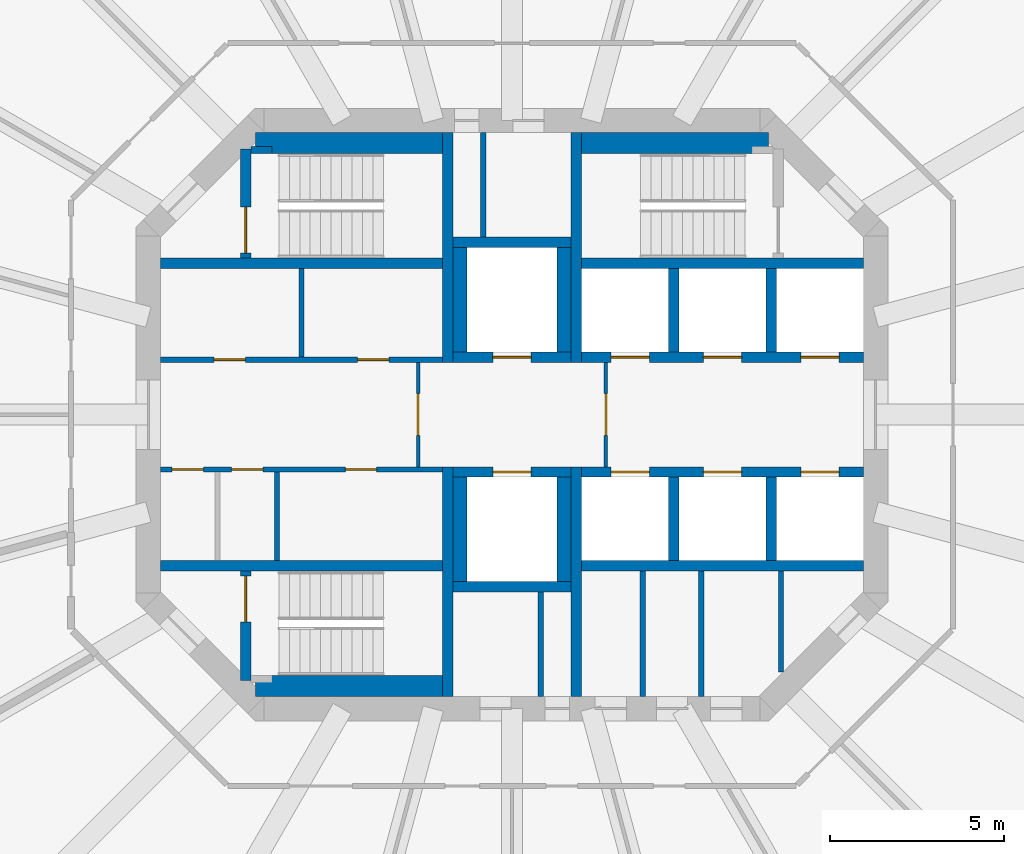
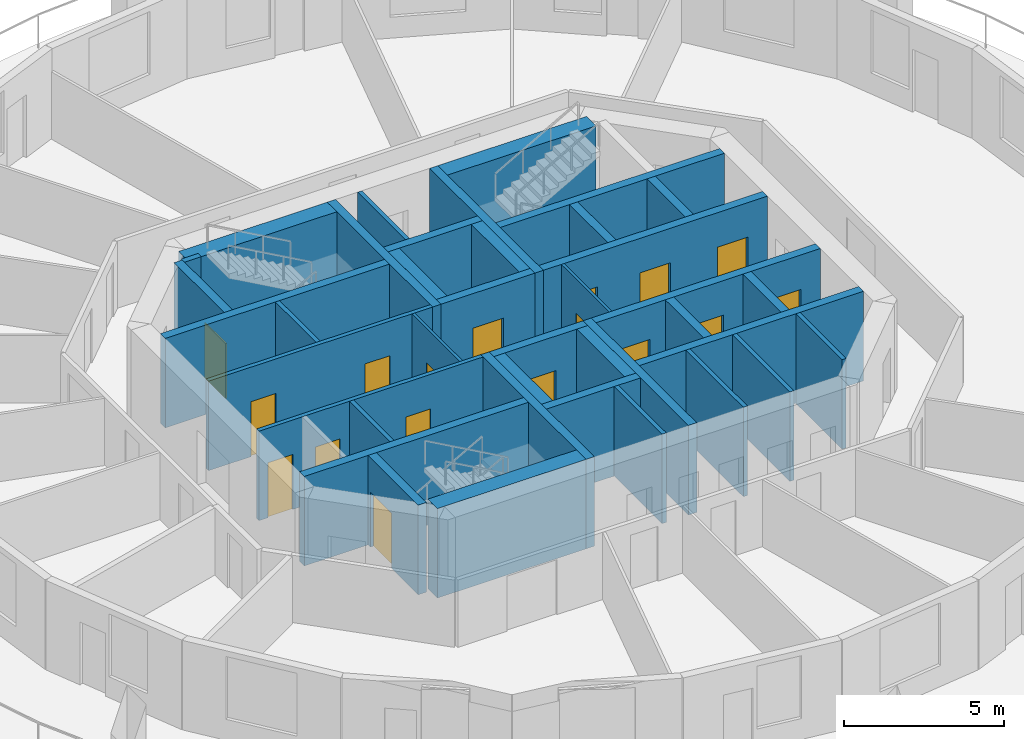
# One storey, part 4 of 9: 39 walls, 17 doors, 17 openings.
"""IFC4 building model written with IfcOpenShell, lengths in metres."""

from ifc_helpers import new_model, si_unit, direction, frame, frame_2d, origin, place, context, subcontext, project, spatial, rectangle, extrude, material, layer, layer_set, type_object, element, fill, save


model = new_model("IFC4")

# Units and contexts
model_context = context("Model", 3, precision=1e-05, world=origin(), true_north=direction((0.0, 1.0)))
body_context = subcontext(model_context, "Body", "Model", "MODEL_VIEW")
ifc_project = project(units=[si_unit("LENGTHUNIT", "METRE"), si_unit("AREAUNIT", "SQUARE_METRE"), si_unit("VOLUMEUNIT", "CUBIC_METRE"), si_unit("PLANEANGLEUNIT", "RADIAN"), si_unit("MASSUNIT", "GRAM", prefix="KILO")], contexts=[model_context])

# Site, building, storey
site_placement = place(None, origin())
site = spatial("IfcSite", under=ifc_project, at=site_placement, CompositionType="ELEMENT")
building_placement = place(site_placement, origin())
building = spatial("IfcBuilding", under=site, at=building_placement, Name="Torre Triforio", CompositionType="ELEMENT")
storey_placement = place(building_placement, frame((0.0, 0.0, 240.89990234375)))
storey = spatial("IfcBuildingStorey", under=building, at=storey_placement, Name="L55", CompositionType="ELEMENT", Elevation=240.89990234375)

# Walls
ifc_material_1 = material(Name="Concrete C50", Category="concrete")
ifc_layer_1 = layer(ifc_material_1, 0.300048828125)
ifc_layer_set_1 = layer_set([ifc_layer_1], Name="Concrete C50")
wall_type_1 = type_object("IfcWallType", Name="Core wall 300 mm C50 EI 120", PredefinedType="SHEAR", material=ifc_layer_set_1)
for number, where, z_axis, x_axis, name in (
    (1, (-1.85009765625, 1.5, 0.0), (0.0, 0.0, 1.0), (0.0, 1.0, 0.0), "Core wall"),
    (2, (-1.85009765625, -8.10009765625, 0.0), (0.0, 0.0, 1.0), (0.0, 1.0, 0.0), "Core wall"),
    (3, (1.85009765625, 1.5, 0.0), (0.0, 0.0, 1.0), (0.0, 1.0, 0.0), "Core wall"),
    (4, (1.85009765625, -8.10009765625, 0.0), (0.0, 0.0, 1.0), (0.0, 1.0, 0.0), "Core wall"),
):
    element("IfcWall", number, at=place(storey_placement, frame(where, z_axis=z_axis, x_axis=x_axis)), inside=storey, type_object=wall_type_1, Name=name, PredefinedType="SHEAR", context=body_context, shape_type="SweptSolid", body=[
        extrude(rectangle(XDim=6.60009765625, YDim=0.300048828125, at=frame_2d((3.300048828125, 0.0))), origin(), (0.0, 0.0, 1.0), 3.420166015625),
    ])

# Wall, opening, door
ifc_material_2 = material(Name="Block and board partition")
ifc_layer_2 = layer(ifc_material_2, 0.10009765625)
ifc_layer_set_2 = layer_set([ifc_layer_2], Name="Block and board partition")
wall_type_2 = type_object("IfcWallType", Name="Partition 100 mm EI 120", PredefinedType="PARTITIONING", material=ifc_layer_set_2)
wall_1_placement = place(storey_placement, frame((-2.699951171875, -1.5, 0.0), z_axis=(0.0, 0.0, 1.0), x_axis=(0.0, 1.0, 0.0)))
wall_1 = element("IfcWall", 5, at=wall_1_placement, inside=storey, type_object=wall_type_2, Name="Partition", PredefinedType="PARTITIONING", context=body_context, shape_type="SweptSolid", body=[
    extrude(rectangle(XDim=3.0, YDim=0.10009765625, at=frame_2d((1.5, 0.0))), origin(), (0.0, 0.0, 1.0), 3.420166015625),
])
opening_1_placement = place(wall_1_placement, frame((0.89990234375, 0.0, 0.0)))
opening_1 = element("IfcOpeningElement", 6, at=opening_1_placement, cuts=wall_1, Name="Opening FF-W", PredefinedType="OPENING", context=body_context, shape_type="SweptSolid", body=[
    extrude(rectangle(XDim=1.199951171875, YDim=2.10009765625, at=frame_2d((0.60009765625, 1.050048828125))), frame((0.0, 0.06005859375, 0.0), z_axis=(0.0, -1.0, 0.0), x_axis=(1.0, 0.0, 0.0)), (0.0, 0.0, 1.0), 0.1201171875),
])
ifc_material_3 = material(Name="Hollow metal fire door leaf")
door_type_1 = type_object("IfcDoorType", Name="Fire-fighting lobby door 1200 x 2100 EI 60", OperationType="NOTDEFINED", PredefinedType="DOOR", material=ifc_material_3)
door_1_placement = place(opening_1_placement, origin())
door_1 = element("IfcDoor", 7, at=door_1_placement, inside=storey, type_object=door_type_1, Name="Core door FF-W", OperationType="SINGLE_SWING_RIGHT", OverallHeight=2.10009765625, OverallWidth=1.199951171875, PredefinedType="DOOR", context=body_context, shape_type="SweptSolid", body=[
    extrude(rectangle(XDim=1.199951171875, YDim=2.10009765625, at=frame_2d((0.60009765625, 1.050048828125))), frame((0.0, 0.02490234375, 0.0), z_axis=(0.0, -1.0, 0.0), x_axis=(1.0, 0.0, 0.0)), (0.0, 0.0, 1.0), 0.050048828125),
])
fill(opening_1, door_1)

wall_2_placement = place(storey_placement, frame((2.699951171875, -1.5, 0.0), z_axis=(0.0, 0.0, 1.0), x_axis=(0.0, 1.0, 0.0)))
wall_2 = element("IfcWall", 8, at=wall_2_placement, inside=storey, type_object=wall_type_2, Name="Partition", PredefinedType="PARTITIONING", context=body_context, shape_type="SweptSolid", body=[
    extrude(rectangle(XDim=3.0, YDim=0.10009765625, at=frame_2d((1.5, 0.0))), origin(), (0.0, 0.0, 1.0), 3.420166015625),
])
opening_2_placement = place(wall_2_placement, frame((0.89990234375, 0.0, 0.0)))
opening_2 = element("IfcOpeningElement", 9, at=opening_2_placement, cuts=wall_2, Name="Opening FF-E", PredefinedType="OPENING", context=body_context, shape_type="SweptSolid", body=[
    extrude(rectangle(XDim=1.199951171875, YDim=2.10009765625, at=frame_2d((0.60009765625, 1.050048828125))), frame((0.0, 0.06005859375, 0.0), z_axis=(0.0, -1.0, 0.0), x_axis=(1.0, 0.0, 0.0)), (0.0, 0.0, 1.0), 0.1201171875),
])
door_2_placement = place(opening_2_placement, origin())
door_2 = element("IfcDoor", 10, at=door_2_placement, inside=storey, type_object=door_type_1, Name="Core door FF-E", OperationType="SINGLE_SWING_RIGHT", OverallHeight=2.10009765625, OverallWidth=1.199951171875, PredefinedType="DOOR", context=body_context, shape_type="SweptSolid", body=[
    extrude(rectangle(XDim=1.199951171875, YDim=2.10009765625, at=frame_2d((0.60009765625, 1.050048828125))), frame((0.0, 0.02490234375, 0.0), z_axis=(0.0, -1.0, 0.0), x_axis=(1.0, 0.0, 0.0)), (0.0, 0.0, 1.0), 0.050048828125),
])
fill(opening_2, door_2)

# Walls
ifc_layer_3 = layer(ifc_material_2, 0.14990234375)
ifc_layer_set_3 = layer_set([ifc_layer_3], Name="Block and board partition")
wall_type_3 = type_object("IfcWallType", Name="Partition 150 mm", PredefinedType="PARTITIONING", material=ifc_layer_set_3)
for number, where, z_axis, x_axis, name in (
    (11, (3.758056640625, -8.10009765625, 0.0), (0.0, 0.0, 1.0), (0.0, 1.0, 0.0), "Partition"),
    (12, (5.43798828125, -8.10009765625, 0.0), (0.0, 0.0, 1.0), (0.0, 1.0, 0.0), "Partition"),
):
    element("IfcWall", number, at=place(storey_placement, frame(where, z_axis=z_axis, x_axis=x_axis)), inside=storey, type_object=wall_type_3, Name=name, PredefinedType="PARTITIONING", context=body_context, shape_type="SweptSolid", body=[
        extrude(rectangle(XDim=3.60009765625, YDim=0.14990234375, at=frame_2d((1.800048828125, 0.0))), origin(), (0.0, 0.0, 1.0), 3.420166015625),
    ])
wall_3_placement = place(storey_placement, frame((7.72998046875, -7.39501953125, 0.0), z_axis=(0.0, 0.0, 1.0), x_axis=(0.0, 1.0, 0.0)))
element("IfcWall", 13, at=wall_3_placement, inside=storey, type_object=wall_type_3, Name="Partition", PredefinedType="PARTITIONING", context=body_context, shape_type="SweptSolid", body=[
    extrude(rectangle(XDim=2.89501953125, YDim=0.14990234375, at=frame_2d((1.447509765625, 0.0))), origin(), (0.0, 0.0, 1.0), 3.420166015625),
])
for number, where, z_axis, x_axis, name in (
    (14, (-6.050048828125, 1.64990234375, 0.0), (0.0, 0.0, 1.0), (0.0, 1.0, 0.0), "Partition"),
    (15, (-6.7548828125, -4.199951171875, 0.0), (0.0, 0.0, 1.0), (0.0, 1.0, 0.0), "Partition"),
):
    element("IfcWall", number, at=place(storey_placement, frame(where, z_axis=z_axis, x_axis=x_axis)), inside=storey, type_object=wall_type_3, Name=name, PredefinedType="PARTITIONING", context=body_context, shape_type="SweptSolid", body=[
        extrude(rectangle(XDim=2.550048828125, YDim=0.14990234375, at=frame_2d((1.27490234375, 0.0))), origin(), (0.0, 0.0, 1.0), 3.420166015625),
    ])
ifc_layer_4 = layer(ifc_material_2, 0.14990234375)
ifc_layer_set_4 = layer_set([ifc_layer_4], Name="Block and board partition")
wall_type_4 = type_object("IfcWallType", Name="Partition 150 mm EI 120", PredefinedType="PARTITIONING", material=ifc_layer_set_4)
for number, where, z_axis, x_axis, name in (
    (16, (-0.824951171875, 5.10009765625, 0.0), (0.0, 0.0, 1.0), (0.0, 1.0, 0.0), "Partition"),
    (17, (0.824951171875, -8.10009765625, 0.0), (0.0, 0.0, 1.0), (0.0, 1.0, 0.0), "Partition"),
):
    element("IfcWall", number, at=place(storey_placement, frame(where, z_axis=z_axis, x_axis=x_axis)), inside=storey, type_object=wall_type_4, Name=name, PredefinedType="PARTITIONING", context=body_context, shape_type="SweptSolid", body=[
        extrude(rectangle(XDim=3.0, YDim=0.14990234375, at=frame_2d((1.5, 0.0))), origin(), (0.0, 0.0, 1.0), 3.420166015625),
    ])

# Wall, openings, doors
wall_4_placement = place(storey_placement, frame((-10.10009765625, 1.574951171875, 0.0), z_axis=(0.0, 0.0, 1.0), x_axis=(1.0, 0.0, 0.0)))
wall_4 = element("IfcWall", 18, at=wall_4_placement, inside=storey, type_object=wall_type_4, Name="Partition", PredefinedType="PARTITIONING", context=body_context, shape_type="SweptSolid", body=[
    extrude(rectangle(XDim=8.10009765625, YDim=0.14990234375, at=frame_2d((4.050048828125, 0.0))), origin(), (0.0, 0.0, 1.0), 3.420166015625),
])
opening_3_placement = place(wall_4_placement, frame((1.53759765625, 0.0, 0.0)))
opening_3 = element("IfcOpeningElement", 19, at=opening_3_placement, cuts=wall_4, Name="Opening FN-01", PredefinedType="OPENING", context=body_context, shape_type="SweptSolid", body=[
    extrude(rectangle(XDim=0.89990234375, YDim=2.10009765625, at=frame_2d((0.449951171875, 1.050048828125))), frame((0.0, 0.0849609375, 0.0), z_axis=(0.0, -1.0, 0.0), x_axis=(1.0, 0.0, 0.0)), (0.0, 0.0, 1.0), 0.169921875),
])
opening_4_placement = place(wall_4_placement, frame((5.66259765625, 0.0, 0.0)))
opening_4 = element("IfcOpeningElement", 20, at=opening_4_placement, cuts=wall_4, Name="Opening FN-02", PredefinedType="OPENING", context=body_context, shape_type="SweptSolid", body=[
    extrude(rectangle(XDim=0.89990234375, YDim=2.10009765625, at=frame_2d((0.449951171875, 1.050048828125))), frame((0.0, 0.0849609375, 0.0), z_axis=(0.0, -1.0, 0.0), x_axis=(1.0, 0.0, 0.0)), (0.0, 0.0, 1.0), 0.169921875),
])
door_type_2 = type_object("IfcDoorType", Name="Room door 900 x 2100 EI 60", OperationType="NOTDEFINED", PredefinedType="DOOR", material=ifc_material_3)
door_3_placement = place(opening_3_placement, origin())
door_3 = element("IfcDoor", 21, at=door_3_placement, inside=storey, type_object=door_type_2, Name="Core door FN-01", OperationType="SINGLE_SWING_RIGHT", OverallHeight=2.10009765625, OverallWidth=0.89990234375, PredefinedType="DOOR", context=body_context, shape_type="SweptSolid", body=[
    extrude(rectangle(XDim=0.89990234375, YDim=2.10009765625, at=frame_2d((0.449951171875, 1.050048828125))), frame((0.0, 0.02490234375, 0.0), z_axis=(0.0, -1.0, 0.0), x_axis=(1.0, 0.0, 0.0)), (0.0, 0.0, 1.0), 0.050048828125),
])
fill(opening_3, door_3)
door_4_placement = place(opening_4_placement, origin())
door_4 = element("IfcDoor", 22, at=door_4_placement, inside=storey, type_object=door_type_2, Name="Core door FN-02", OperationType="SINGLE_SWING_RIGHT", OverallHeight=2.10009765625, OverallWidth=0.89990234375, PredefinedType="DOOR", context=body_context, shape_type="SweptSolid", body=[
    extrude(rectangle(XDim=0.89990234375, YDim=2.10009765625, at=frame_2d((0.449951171875, 1.050048828125))), frame((0.0, 0.02490234375, 0.0), z_axis=(0.0, -1.0, 0.0), x_axis=(1.0, 0.0, 0.0)), (0.0, 0.0, 1.0), 0.050048828125),
])
fill(opening_4, door_4)

wall_5_placement = place(storey_placement, frame((-10.10009765625, -1.574951171875, 0.0), z_axis=(0.0, 0.0, 1.0), x_axis=(1.0, 0.0, 0.0)))
wall_5 = element("IfcWall", 23, at=wall_5_placement, inside=storey, type_object=wall_type_4, Name="Partition", PredefinedType="PARTITIONING", context=body_context, shape_type="SweptSolid", body=[
    extrude(rectangle(XDim=8.10009765625, YDim=0.14990234375, at=frame_2d((4.050048828125, 0.0))), origin(), (0.0, 0.0, 1.0), 3.420166015625),
])
opening_5_placement = place(wall_5_placement, frame((0.330078125, 0.0, 0.0)))
opening_5 = element("IfcOpeningElement", 24, at=opening_5_placement, cuts=wall_5, Name="Opening FS-01", PredefinedType="OPENING", context=body_context, shape_type="SweptSolid", body=[
    extrude(rectangle(XDim=0.89990234375, YDim=2.10009765625, at=frame_2d((0.449951171875, 1.050048828125))), frame((0.0, 0.0849609375, 0.0), z_axis=(0.0, -1.0, 0.0), x_axis=(1.0, 0.0, 0.0)), (0.0, 0.0, 1.0), 0.169921875),
])
opening_6_placement = place(wall_5_placement, frame((2.0400390625, 0.0, 0.0)))
opening_6 = element("IfcOpeningElement", 25, at=opening_6_placement, cuts=wall_5, Name="Opening FS-02", PredefinedType="OPENING", context=body_context, shape_type="SweptSolid", body=[
    extrude(rectangle(XDim=0.89990234375, YDim=2.10009765625, at=frame_2d((0.449951171875, 1.050048828125))), frame((0.0, 0.0849609375, 0.0), z_axis=(0.0, -1.0, 0.0), x_axis=(1.0, 0.0, 0.0)), (0.0, 0.0, 1.0), 0.169921875),
])
opening_7_placement = place(wall_5_placement, frame((5.31005859375, 0.0, 0.0)))
opening_7 = element("IfcOpeningElement", 26, at=opening_7_placement, cuts=wall_5, Name="Opening FS-03", PredefinedType="OPENING", context=body_context, shape_type="SweptSolid", body=[
    extrude(rectangle(XDim=0.89990234375, YDim=2.10009765625, at=frame_2d((0.449951171875, 1.050048828125))), frame((0.0, 0.0849609375, 0.0), z_axis=(0.0, -1.0, 0.0), x_axis=(1.0, 0.0, 0.0)), (0.0, 0.0, 1.0), 0.169921875),
])
door_5_placement = place(opening_5_placement, origin())
door_5 = element("IfcDoor", 27, at=door_5_placement, inside=storey, type_object=door_type_2, Name="Core door FS-01", OperationType="SINGLE_SWING_LEFT", OverallHeight=2.10009765625, OverallWidth=0.89990234375, PredefinedType="DOOR", context=body_context, shape_type="SweptSolid", body=[
    extrude(rectangle(XDim=0.89990234375, YDim=2.10009765625, at=frame_2d((0.449951171875, 1.050048828125))), frame((0.0, 0.02490234375, 0.0), z_axis=(0.0, -1.0, 0.0), x_axis=(1.0, 0.0, 0.0)), (0.0, 0.0, 1.0), 0.050048828125),
])
fill(opening_5, door_5)
door_6_placement = place(opening_6_placement, origin())
door_6 = element("IfcDoor", 28, at=door_6_placement, inside=storey, type_object=door_type_2, Name="Core door FS-02", OperationType="SINGLE_SWING_LEFT", OverallHeight=2.10009765625, OverallWidth=0.89990234375, PredefinedType="DOOR", context=body_context, shape_type="SweptSolid", body=[
    extrude(rectangle(XDim=0.89990234375, YDim=2.10009765625, at=frame_2d((0.449951171875, 1.050048828125))), frame((0.0, 0.02490234375, 0.0), z_axis=(0.0, -1.0, 0.0), x_axis=(1.0, 0.0, 0.0)), (0.0, 0.0, 1.0), 0.050048828125),
])
fill(opening_6, door_6)
door_7_placement = place(opening_7_placement, origin())
door_7 = element("IfcDoor", 29, at=door_7_placement, inside=storey, type_object=door_type_2, Name="Core door FS-03", OperationType="SINGLE_SWING_LEFT", OverallHeight=2.10009765625, OverallWidth=0.89990234375, PredefinedType="DOOR", context=body_context, shape_type="SweptSolid", body=[
    extrude(rectangle(XDim=0.89990234375, YDim=2.10009765625, at=frame_2d((0.449951171875, 1.050048828125))), frame((0.0, 0.02490234375, 0.0), z_axis=(0.0, -1.0, 0.0), x_axis=(1.0, 0.0, 0.0)), (0.0, 0.0, 1.0), 0.050048828125),
])
fill(opening_7, door_7)

# Walls
ifc_layer_5 = layer(ifc_material_1, 0.300048828125)
ifc_layer_set_5 = layer_set([ifc_layer_5], Name="Concrete C50")
wall_type_5 = type_object("IfcWallType", Name="Shaft wall 300 mm C50 EI 120", PredefinedType="SOLIDWALL", material=ifc_layer_set_5)
for number, where, z_axis, x_axis, name in (
    (30, (-10.10009765625, 4.35009765625, 0.0), (0.0, 0.0, 1.0), (1.0, 0.0, 0.0), "Shaft wall"),
    (31, (-10.10009765625, -4.35009765625, 0.0), (0.0, 0.0, 1.0), (1.0, 0.0, 0.0), "Shaft wall"),
    (32, (2.0, 4.35009765625, 0.0), (0.0, 0.0, 1.0), (1.0, 0.0, 0.0), "Shaft wall"),
    (33, (2.0, -4.35009765625, 0.0), (0.0, 0.0, 1.0), (1.0, 0.0, 0.0), "Shaft wall"),
):
    element("IfcWall", number, at=place(storey_placement, frame(where, z_axis=z_axis, x_axis=x_axis)), inside=storey, type_object=wall_type_5, Name=name, PredefinedType="SOLIDWALL", context=body_context, shape_type="SweptSolid", body=[
        extrude(rectangle(XDim=8.10009765625, YDim=0.300048828125, at=frame_2d((4.050048828125, 0.0))), origin(), (0.0, 0.0, 1.0), 3.420166015625),
    ])

# Wall, openings, doors
wall_6_placement = place(storey_placement, frame((2.0, 1.64990234375, 0.0), z_axis=(0.0, 0.0, 1.0), x_axis=(1.0, 0.0, 0.0)))
wall_6 = element("IfcWall", 34, at=wall_6_placement, inside=storey, type_object=wall_type_5, Name="Shaft wall", PredefinedType="SOLIDWALL", context=body_context, shape_type="SweptSolid", body=[
    extrude(rectangle(XDim=8.10009765625, YDim=0.300048828125, at=frame_2d((4.050048828125, 0.0))), origin(), (0.0, 0.0, 1.0), 3.420166015625),
])
opening_8_placement = place(wall_6_placement, frame((0.85009765625, 0.0, 0.0)))
opening_8 = element("IfcOpeningElement", 35, at=opening_8_placement, cuts=wall_6, Name="Opening LD", PredefinedType="OPENING", context=body_context, shape_type="SweptSolid", body=[
    extrude(rectangle(XDim=1.10009765625, YDim=2.10009765625, at=frame_2d((0.550048828125, 1.050048828125))), frame((0.0, 0.159912109375, 0.0), z_axis=(0.0, -1.0, 0.0), x_axis=(1.0, 0.0, 0.0)), (0.0, 0.0, 1.0), 0.320068359375),
])
opening_9_placement = place(wall_6_placement, frame((3.5, 0.0, 0.0)))
opening_9 = element("IfcOpeningElement", 36, at=opening_9_placement, cuts=wall_6, Name="Opening LD", PredefinedType="OPENING", context=body_context, shape_type="SweptSolid", body=[
    extrude(rectangle(XDim=1.10009765625, YDim=2.10009765625, at=frame_2d((0.550048828125, 1.050048828125))), frame((0.0, 0.159912109375, 0.0), z_axis=(0.0, -1.0, 0.0), x_axis=(1.0, 0.0, 0.0)), (0.0, 0.0, 1.0), 0.320068359375),
])
opening_10_placement = place(wall_6_placement, frame((6.300048828125, 0.0, 0.0)))
opening_10 = element("IfcOpeningElement", 37, at=opening_10_placement, cuts=wall_6, Name="Opening LD", PredefinedType="OPENING", context=body_context, shape_type="SweptSolid", body=[
    extrude(rectangle(XDim=1.10009765625, YDim=2.10009765625, at=frame_2d((0.550048828125, 1.050048828125))), frame((0.0, 0.159912109375, 0.0), z_axis=(0.0, -1.0, 0.0), x_axis=(1.0, 0.0, 0.0)), (0.0, 0.0, 1.0), 0.320068359375),
])
door_type_3 = type_object("IfcDoorType", Name="Landing door 1100 x 2100 EI 60", OperationType="DOUBLE_DOOR_SLIDING", PredefinedType="DOOR", material=ifc_material_3)
door_8_placement = place(opening_8_placement, origin())
door_8 = element("IfcDoor", 38, at=door_8_placement, inside=storey, type_object=door_type_3, Name="Landing door HR1", OperationType="DOUBLE_DOOR_SLIDING", OverallHeight=2.10009765625, OverallWidth=1.10009765625, PredefinedType="DOOR", context=body_context, shape_type="SweptSolid", body=[
    extrude(rectangle(XDim=1.10009765625, YDim=2.10009765625, at=frame_2d((0.550048828125, 1.050048828125))), frame((0.0, 0.02490234375, 0.0), z_axis=(0.0, -1.0, 0.0), x_axis=(1.0, 0.0, 0.0)), (0.0, 0.0, 1.0), 0.050048828125),
])
fill(opening_8, door_8)
door_9_placement = place(opening_9_placement, origin())
door_9 = element("IfcDoor", 39, at=door_9_placement, inside=storey, type_object=door_type_3, Name="Landing door HR2", OperationType="DOUBLE_DOOR_SLIDING", OverallHeight=2.10009765625, OverallWidth=1.10009765625, PredefinedType="DOOR", context=body_context, shape_type="SweptSolid", body=[
    extrude(rectangle(XDim=1.10009765625, YDim=2.10009765625, at=frame_2d((0.550048828125, 1.050048828125))), frame((0.0, 0.02490234375, 0.0), z_axis=(0.0, -1.0, 0.0), x_axis=(1.0, 0.0, 0.0)), (0.0, 0.0, 1.0), 0.050048828125),
])
fill(opening_9, door_9)
door_10_placement = place(opening_10_placement, origin())
door_10 = element("IfcDoor", 40, at=door_10_placement, inside=storey, type_object=door_type_3, Name="Landing door HR3", OperationType="DOUBLE_DOOR_SLIDING", OverallHeight=2.10009765625, OverallWidth=1.10009765625, PredefinedType="DOOR", context=body_context, shape_type="SweptSolid", body=[
    extrude(rectangle(XDim=1.10009765625, YDim=2.10009765625, at=frame_2d((0.550048828125, 1.050048828125))), frame((0.0, 0.02490234375, 0.0), z_axis=(0.0, -1.0, 0.0), x_axis=(1.0, 0.0, 0.0)), (0.0, 0.0, 1.0), 0.050048828125),
])
fill(opening_10, door_10)

wall_7_placement = place(storey_placement, frame((2.0, -1.64990234375, 0.0), z_axis=(0.0, 0.0, 1.0), x_axis=(1.0, 0.0, 0.0)))
wall_7 = element("IfcWall", 41, at=wall_7_placement, inside=storey, type_object=wall_type_5, Name="Shaft wall", PredefinedType="SOLIDWALL", context=body_context, shape_type="SweptSolid", body=[
    extrude(rectangle(XDim=8.10009765625, YDim=0.300048828125, at=frame_2d((4.050048828125, 0.0))), origin(), (0.0, 0.0, 1.0), 3.420166015625),
])
opening_11_placement = place(wall_7_placement, frame((0.85009765625, 0.0, 0.0)))
opening_11 = element("IfcOpeningElement", 42, at=opening_11_placement, cuts=wall_7, Name="Opening LD", PredefinedType="OPENING", context=body_context, shape_type="SweptSolid", body=[
    extrude(rectangle(XDim=1.10009765625, YDim=2.10009765625, at=frame_2d((0.550048828125, 1.050048828125))), frame((0.0, 0.159912109375, 0.0), z_axis=(0.0, -1.0, 0.0), x_axis=(1.0, 0.0, 0.0)), (0.0, 0.0, 1.0), 0.320068359375),
])
opening_12_placement = place(wall_7_placement, frame((3.5, 0.0, 0.0)))
opening_12 = element("IfcOpeningElement", 43, at=opening_12_placement, cuts=wall_7, Name="Opening LD", PredefinedType="OPENING", context=body_context, shape_type="SweptSolid", body=[
    extrude(rectangle(XDim=1.10009765625, YDim=2.10009765625, at=frame_2d((0.550048828125, 1.050048828125))), frame((0.0, 0.159912109375, 0.0), z_axis=(0.0, -1.0, 0.0), x_axis=(1.0, 0.0, 0.0)), (0.0, 0.0, 1.0), 0.320068359375),
])
opening_13_placement = place(wall_7_placement, frame((6.300048828125, 0.0, 0.0)))
opening_13 = element("IfcOpeningElement", 44, at=opening_13_placement, cuts=wall_7, Name="Opening LD", PredefinedType="OPENING", context=body_context, shape_type="SweptSolid", body=[
    extrude(rectangle(XDim=1.10009765625, YDim=2.10009765625, at=frame_2d((0.550048828125, 1.050048828125))), frame((0.0, 0.159912109375, 0.0), z_axis=(0.0, -1.0, 0.0), x_axis=(1.0, 0.0, 0.0)), (0.0, 0.0, 1.0), 0.320068359375),
])
door_11_placement = place(opening_11_placement, origin())
door_11 = element("IfcDoor", 45, at=door_11_placement, inside=storey, type_object=door_type_3, Name="Landing door HR4", OperationType="DOUBLE_DOOR_SLIDING", OverallHeight=2.10009765625, OverallWidth=1.10009765625, PredefinedType="DOOR", context=body_context, shape_type="SweptSolid", body=[
    extrude(rectangle(XDim=1.10009765625, YDim=2.10009765625, at=frame_2d((0.550048828125, 1.050048828125))), frame((0.0, 0.02490234375, 0.0), z_axis=(0.0, -1.0, 0.0), x_axis=(1.0, 0.0, 0.0)), (0.0, 0.0, 1.0), 0.050048828125),
])
fill(opening_11, door_11)
door_12_placement = place(opening_12_placement, origin())
door_12 = element("IfcDoor", 46, at=door_12_placement, inside=storey, type_object=door_type_3, Name="Landing door HR5", OperationType="DOUBLE_DOOR_SLIDING", OverallHeight=2.10009765625, OverallWidth=1.10009765625, PredefinedType="DOOR", context=body_context, shape_type="SweptSolid", body=[
    extrude(rectangle(XDim=1.10009765625, YDim=2.10009765625, at=frame_2d((0.550048828125, 1.050048828125))), frame((0.0, 0.02490234375, 0.0), z_axis=(0.0, -1.0, 0.0), x_axis=(1.0, 0.0, 0.0)), (0.0, 0.0, 1.0), 0.050048828125),
])
fill(opening_12, door_12)
door_13_placement = place(opening_13_placement, origin())
door_13 = element("IfcDoor", 47, at=door_13_placement, inside=storey, type_object=door_type_3, Name="Landing door HR6", OperationType="DOUBLE_DOOR_SLIDING", OverallHeight=2.10009765625, OverallWidth=1.10009765625, PredefinedType="DOOR", context=body_context, shape_type="SweptSolid", body=[
    extrude(rectangle(XDim=1.10009765625, YDim=2.10009765625, at=frame_2d((0.550048828125, 1.050048828125))), frame((0.0, 0.02490234375, 0.0), z_axis=(0.0, -1.0, 0.0), x_axis=(1.0, 0.0, 0.0)), (0.0, 0.0, 1.0), 0.050048828125),
])
fill(opening_13, door_13)

# Walls
for number, where, z_axis, x_axis, name in (
    (48, (4.64990234375, 1.800048828125, 0.0), (0.0, 0.0, 1.0), (0.0, 1.0, 0.0), "Shaft wall"),
    (49, (4.64990234375, -4.199951171875, 0.0), (0.0, 0.0, 1.0), (0.0, 1.0, 0.0), "Shaft wall"),
    (50, (7.449951171875, 1.800048828125, 0.0), (0.0, 0.0, 1.0), (0.0, 1.0, 0.0), "Shaft wall"),
    (51, (7.449951171875, -4.199951171875, 0.0), (0.0, 0.0, 1.0), (0.0, 1.0, 0.0), "Shaft wall"),
):
    element("IfcWall", number, at=place(storey_placement, frame(where, z_axis=z_axis, x_axis=x_axis)), inside=storey, type_object=wall_type_5, Name=name, PredefinedType="SOLIDWALL", context=body_context, shape_type="SweptSolid", body=[
        extrude(rectangle(XDim=2.39990234375, YDim=0.300048828125, at=frame_2d((1.199951171875, 0.0))), origin(), (0.0, 0.0, 1.0), 3.420166015625),
    ])

# Wall, opening, door
wall_8_placement = place(storey_placement, frame((-1.699951171875, 1.64990234375, 0.0), z_axis=(0.0, 0.0, 1.0), x_axis=(1.0, 0.0, 0.0)))
wall_8 = element("IfcWall", 52, at=wall_8_placement, inside=storey, type_object=wall_type_5, Name="Shaft wall", PredefinedType="SOLIDWALL", context=body_context, shape_type="SweptSolid", body=[
    extrude(rectangle(XDim=3.39990234375, YDim=0.300048828125, at=frame_2d((1.699951171875, 0.0))), origin(), (0.0, 0.0, 1.0), 3.420166015625),
])
opening_14_placement = place(wall_8_placement, frame((1.14990234375, 0.0, 0.0)))
opening_14 = element("IfcOpeningElement", 53, at=opening_14_placement, cuts=wall_8, Name="Opening LD", PredefinedType="OPENING", context=body_context, shape_type="SweptSolid", body=[
    extrude(rectangle(XDim=1.10009765625, YDim=2.10009765625, at=frame_2d((0.550048828125, 1.050048828125))), frame((0.0, 0.159912109375, 0.0), z_axis=(0.0, -1.0, 0.0), x_axis=(1.0, 0.0, 0.0)), (0.0, 0.0, 1.0), 0.320068359375),
])
door_14_placement = place(opening_14_placement, origin())
door_14 = element("IfcDoor", 54, at=door_14_placement, inside=storey, type_object=door_type_3, Name="Landing door FFL1", OperationType="DOUBLE_DOOR_SLIDING", OverallHeight=2.10009765625, OverallWidth=1.10009765625, PredefinedType="DOOR", context=body_context, shape_type="SweptSolid", body=[
    extrude(rectangle(XDim=1.10009765625, YDim=2.10009765625, at=frame_2d((0.550048828125, 1.050048828125))), frame((0.0, 0.02490234375, 0.0), z_axis=(0.0, -1.0, 0.0), x_axis=(1.0, 0.0, 0.0)), (0.0, 0.0, 1.0), 0.050048828125),
])
fill(opening_14, door_14)

wall_9_placement = place(storey_placement, frame((-1.699951171875, -1.64990234375, 0.0), z_axis=(0.0, 0.0, 1.0), x_axis=(1.0, 0.0, 0.0)))
wall_9 = element("IfcWall", 55, at=wall_9_placement, inside=storey, type_object=wall_type_5, Name="Shaft wall", PredefinedType="SOLIDWALL", context=body_context, shape_type="SweptSolid", body=[
    extrude(rectangle(XDim=3.39990234375, YDim=0.300048828125, at=frame_2d((1.699951171875, 0.0))), origin(), (0.0, 0.0, 1.0), 3.420166015625),
])
opening_15_placement = place(wall_9_placement, frame((1.14990234375, 0.0, 0.0)))
opening_15 = element("IfcOpeningElement", 56, at=opening_15_placement, cuts=wall_9, Name="Opening LD", PredefinedType="OPENING", context=body_context, shape_type="SweptSolid", body=[
    extrude(rectangle(XDim=1.10009765625, YDim=2.10009765625, at=frame_2d((0.550048828125, 1.050048828125))), frame((0.0, 0.159912109375, 0.0), z_axis=(0.0, -1.0, 0.0), x_axis=(1.0, 0.0, 0.0)), (0.0, 0.0, 1.0), 0.320068359375),
])
door_15_placement = place(opening_15_placement, origin())
door_15 = element("IfcDoor", 57, at=door_15_placement, inside=storey, type_object=door_type_3, Name="Landing door FFL2", OperationType="DOUBLE_DOOR_SLIDING", OverallHeight=2.10009765625, OverallWidth=1.10009765625, PredefinedType="DOOR", context=body_context, shape_type="SweptSolid", body=[
    extrude(rectangle(XDim=1.10009765625, YDim=2.10009765625, at=frame_2d((0.550048828125, 1.050048828125))), frame((0.0, 0.02490234375, 0.0), z_axis=(0.0, -1.0, 0.0), x_axis=(1.0, 0.0, 0.0)), (0.0, 0.0, 1.0), 0.050048828125),
])
fill(opening_15, door_15)

# Walls
for number, where, z_axis, x_axis, name in (
    (58, (-1.699951171875, 4.949951171875, 0.0), (0.0, 0.0, 1.0), (1.0, 0.0, 0.0), "Shaft wall"),
    (59, (-1.699951171875, -4.949951171875, 0.0), (0.0, 0.0, 1.0), (1.0, 0.0, 0.0), "Shaft wall"),
):
    element("IfcWall", number, at=place(storey_placement, frame(where, z_axis=z_axis, x_axis=x_axis)), inside=storey, type_object=wall_type_5, Name=name, PredefinedType="SOLIDWALL", context=body_context, shape_type="SweptSolid", body=[
        extrude(rectangle(XDim=3.39990234375, YDim=0.300048828125, at=frame_2d((1.699951171875, 0.0))), origin(), (0.0, 0.0, 1.0), 3.420166015625),
    ])
ifc_layer_6 = layer(ifc_material_1, 0.39990234375)
ifc_layer_set_6 = layer_set([ifc_layer_6], Name="Concrete C50")
wall_type_6 = type_object("IfcWallType", Name="Shaft wall 400 mm C50 EI 120", PredefinedType="SOLIDWALL", material=ifc_layer_set_6)
for number, where, z_axis, x_axis, name in (
    (60, (-1.5, 1.800048828125, 0.0), (0.0, 0.0, 1.0), (0.0, 1.0, 0.0), "Shaft wall"),
    (61, (-1.5, -4.800048828125, 0.0), (0.0, 0.0, 1.0), (0.0, 1.0, 0.0), "Shaft wall"),
    (62, (1.5, 1.800048828125, 0.0), (0.0, 0.0, 1.0), (0.0, 1.0, 0.0), "Shaft wall"),
    (63, (1.5, -4.800048828125, 0.0), (0.0, 0.0, 1.0), (0.0, 1.0, 0.0), "Shaft wall"),
):
    element("IfcWall", number, at=place(storey_placement, frame(where, z_axis=z_axis, x_axis=x_axis)), inside=storey, type_object=wall_type_6, Name=name, PredefinedType="SOLIDWALL", context=body_context, shape_type="SweptSolid", body=[
        extrude(rectangle(XDim=3.0, YDim=0.39990234375, at=frame_2d((1.5, 0.0))), origin(), (0.0, 0.0, 1.0), 3.420166015625),
    ])
ifc_layer_7 = layer(ifc_material_1, 0.199951171875)
ifc_layer_set_7 = layer_set([ifc_layer_7], Name="Concrete C50")
wall_type_7 = type_object("IfcWallType", Name="Stair wall 200 mm C50 EI 120", PredefinedType="SHEAR", material=ifc_layer_set_7)
wall_10_placement = place(storey_placement, frame((-7.5, 7.60009765625, 0.0), z_axis=(0.0, 0.0, 1.0), x_axis=(1.0, 0.0, 0.0)))
element("IfcWall", 64, at=wall_10_placement, inside=storey, type_object=wall_type_7, Name="Stair wall", PredefinedType="SHEAR", context=body_context, shape_type="SweptSolid", body=[
    extrude(rectangle(XDim=0.60009765625, YDim=0.199951171875, at=frame_2d((0.300048828125, 0.0))), origin(), (0.0, 0.0, 1.0), 3.420166015625),
])

# Wall, opening, door
ifc_layer_8 = layer(ifc_material_1, 0.300048828125)
ifc_layer_set_8 = layer_set([ifc_layer_8], Name="Concrete C50")
wall_type_8 = type_object("IfcWallType", Name="Stair wall 300 mm C50 EI 120", PredefinedType="SHEAR", material=ifc_layer_set_8)
wall_11_placement = place(storey_placement, frame((-7.64990234375, 4.5, 0.0), z_axis=(0.0, 0.0, 1.0), x_axis=(0.0, 1.0, 0.0)))
wall_11 = element("IfcWall", 65, at=wall_11_placement, inside=storey, type_object=wall_type_8, Name="Stair wall", PredefinedType="SHEAR", context=body_context, shape_type="SweptSolid", body=[
    extrude(rectangle(XDim=3.139892578125, YDim=0.300048828125, at=frame_2d((1.56982421875, 0.0))), origin(), (0.0, 0.0, 1.0), 3.420166015625),
])
opening_16_placement = place(wall_11_placement, frame((0.139892578125, 0.0, 0.0)))
opening_16 = element("IfcOpeningElement", 66, at=opening_16_placement, cuts=wall_11, Name="Opening ST1-STA", PredefinedType="OPENING", context=body_context, shape_type="SweptSolid", body=[
    extrude(rectangle(XDim=1.320068359375, YDim=2.10009765625, at=frame_2d((0.66015625, 1.050048828125))), frame((0.0, 0.159912109375, 0.0), z_axis=(0.0, -1.0, 0.0), x_axis=(1.0, 0.0, 0.0)), (0.0, 0.0, 1.0), 0.320068359375),
])
door_type_4 = type_object("IfcDoorType", Name="Stair door 1320 x 2100 EI 90", OperationType="DOUBLE_DOOR_SINGLE_SWING", PredefinedType="DOOR", material=ifc_material_3)
door_16_placement = place(opening_16_placement, origin())
door_16 = element("IfcDoor", 67, at=door_16_placement, inside=storey, type_object=door_type_4, Name="Core door ST1-ST", OperationType="DOUBLE_DOOR_SINGLE_SWING", OverallHeight=2.10009765625, OverallWidth=1.320068359375, PredefinedType="DOOR", context=body_context, shape_type="SweptSolid", body=[
    extrude(rectangle(XDim=1.320068359375, YDim=2.10009765625, at=frame_2d((0.66015625, 1.050048828125))), frame((0.0, 0.02490234375, 0.0), z_axis=(0.0, -1.0, 0.0), x_axis=(1.0, 0.0, 0.0)), (0.0, 0.0, 1.0), 0.050048828125),
])
fill(opening_16, door_16)

wall_12_placement = place(storey_placement, frame((-7.64990234375, -7.639892578125, 0.0), z_axis=(0.0, 0.0, 1.0), x_axis=(0.0, 1.0, 0.0)))
wall_12 = element("IfcWall", 68, at=wall_12_placement, inside=storey, type_object=wall_type_8, Name="Stair wall", PredefinedType="SHEAR", context=body_context, shape_type="SweptSolid", body=[
    extrude(rectangle(XDim=3.139892578125, YDim=0.300048828125, at=frame_2d((1.56982421875, 0.0))), origin(), (0.0, 0.0, 1.0), 3.420166015625),
])
opening_17_placement = place(wall_12_placement, frame((1.679931640625, 0.0, 0.0)))
opening_17 = element("IfcOpeningElement", 69, at=opening_17_placement, cuts=wall_12, Name="Opening ST3-STA", PredefinedType="OPENING", context=body_context, shape_type="SweptSolid", body=[
    extrude(rectangle(XDim=1.320068359375, YDim=2.10009765625, at=frame_2d((0.66015625, 1.050048828125))), frame((0.0, 0.159912109375, 0.0), z_axis=(0.0, -1.0, 0.0), x_axis=(1.0, 0.0, 0.0)), (0.0, 0.0, 1.0), 0.320068359375),
])
door_17_placement = place(opening_17_placement, origin())
door_17 = element("IfcDoor", 70, at=door_17_placement, inside=storey, type_object=door_type_4, Name="Core door ST3-ST", OperationType="DOUBLE_DOOR_SINGLE_SWING", OverallHeight=2.10009765625, OverallWidth=1.320068359375, PredefinedType="DOOR", context=body_context, shape_type="SweptSolid", body=[
    extrude(rectangle(XDim=1.320068359375, YDim=2.10009765625, at=frame_2d((0.66015625, 1.050048828125))), frame((0.0, 0.02490234375, 0.0), z_axis=(0.0, -1.0, 0.0), x_axis=(1.0, 0.0, 0.0)), (0.0, 0.0, 1.0), 0.050048828125),
])
fill(opening_17, door_17)

# Walls
ifc_layer_9 = layer(ifc_material_1, 0.60009765625)
ifc_layer_set_9 = layer_set([ifc_layer_9], Name="Concrete C50")
wall_type_9 = type_object("IfcWallType", Name="Stair wall 600 mm C50 EI 120", PredefinedType="SHEAR", material=ifc_layer_set_9)
for number, where, z_axis, x_axis, name in (
    (71, (-7.3701171875, 7.800048828125, 0.0), (0.0, 0.0, 1.0), (1.0, 0.0, 0.0), "Stair wall"),
    (72, (2.0, 7.800048828125, 0.0), (0.0, 0.0, 1.0), (1.0, 0.0, 0.0), "Stair wall"),
    (73, (-7.3701171875, -7.800048828125, 0.0), (0.0, 0.0, 1.0), (1.0, 0.0, 0.0), "Stair wall"),
):
    element("IfcWall", number, at=place(storey_placement, frame(where, z_axis=z_axis, x_axis=x_axis)), inside=storey, type_object=wall_type_9, Name=name, PredefinedType="SHEAR", context=body_context, shape_type="SweptSolid", body=[
        extrude(rectangle(XDim=5.3701171875, YDim=0.60009765625, at=frame_2d((2.68505859375, 0.0))), origin(), (0.0, 0.0, 1.0), 3.420166015625),
    ])

save(model, "model.ifc")
